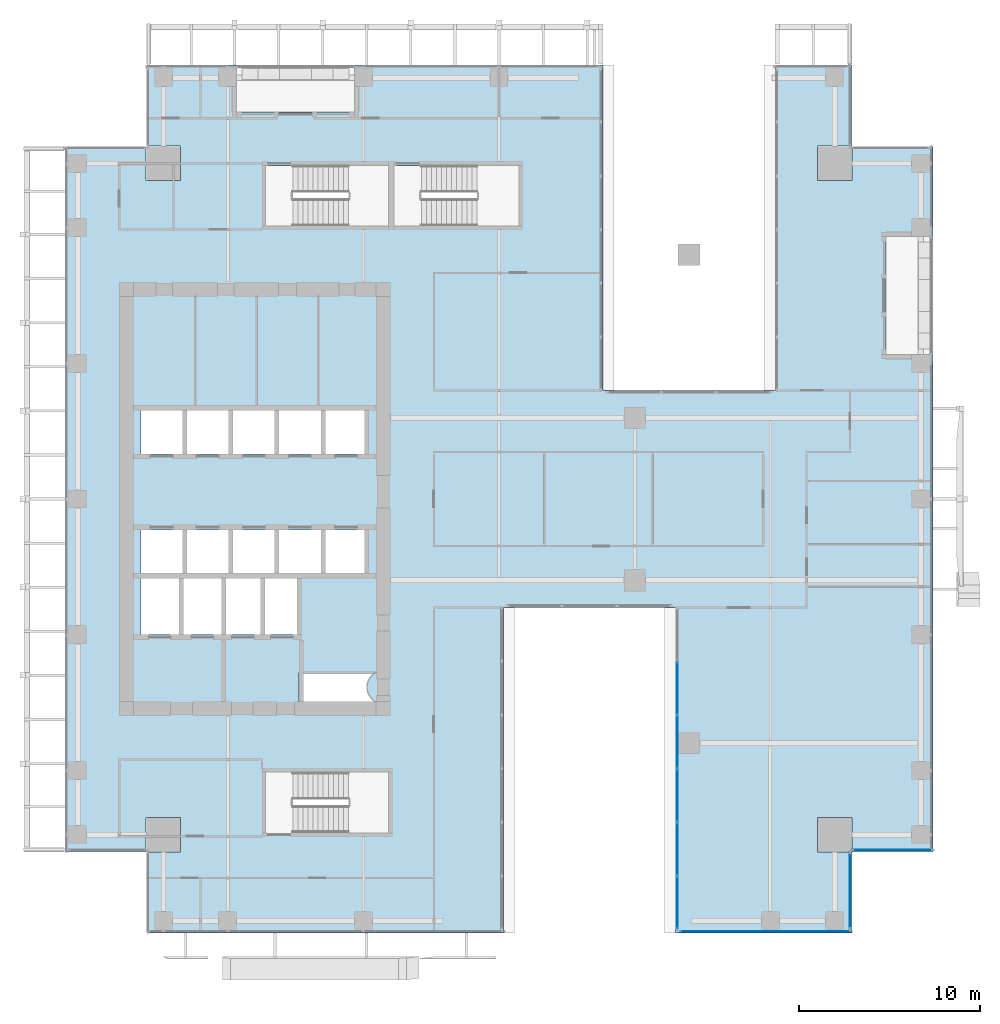
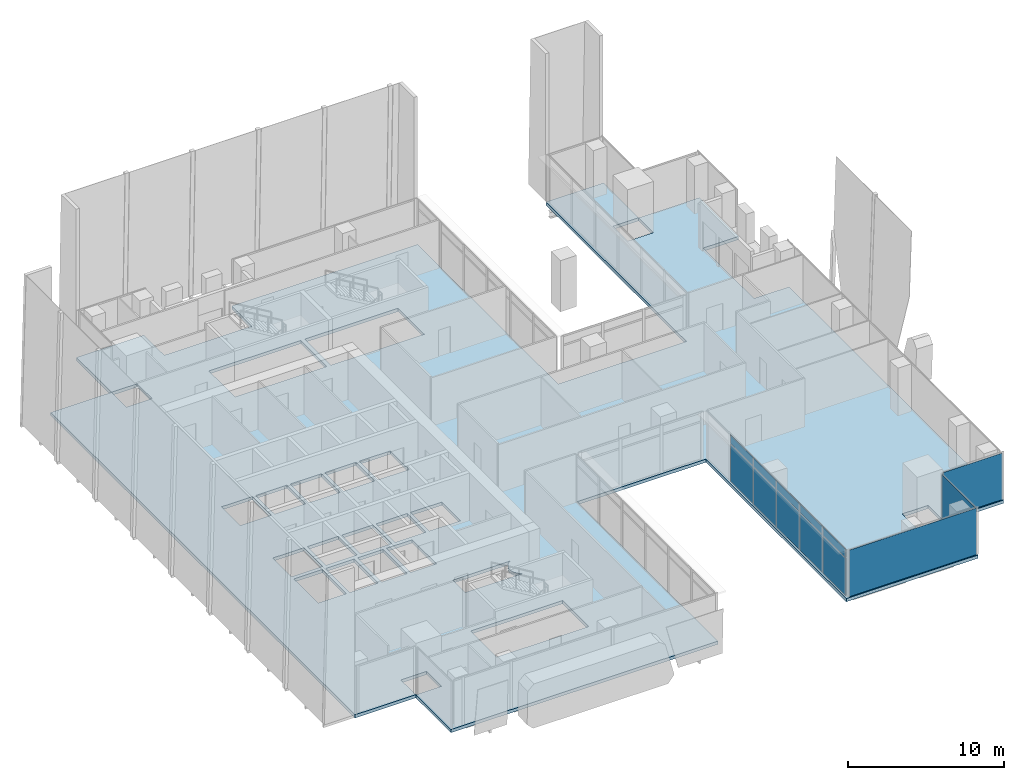
# One storey, part 29 of 40: 13 plates, 1 slab, 4 elements without a shape of their own.
"""IFC4 building model written with IfcOpenShell, lengths in metres."""

import ifcopenshell
import ifcopenshell.guid

model = None  # the IFC model being written
_history = None  # IfcOwnerHistory: only IFC2X3 demands one
_inside = {}  # id of a spatial element -> (the spatial element, [elements in it])
_under = {}  # id of a project, library or spatial element -> (it, [spatial elements below it])
_declared = {}  # id of a project -> (the project, [libraries it declares])
_typed = {}  # id of a type object -> (the type object, [elements of that type])
_made_of = {}  # id of a material, layer set ... -> (it, [elements and type objects made of it])


def new_model(schema):
    """Start an empty IFC model of exactly this schema.

    Asked for "IFC4X3", IfcOpenShell would pick the latest addendum, in which some entities
    have other attributes; the version numbers below select the first issue.
    IFC2X3 requires an IfcOwnerHistory on every rooted entity: one is made here for all.
    """
    global model, _history
    if schema == "IFC4X3":
        model = ifcopenshell.file(schema_version=(4, 3, 0, 0))
    else:
        model = ifcopenshell.file(schema=schema)
    _inside.clear()
    _under.clear()
    _declared.clear()
    _typed.clear()
    _made_of.clear()
    _history = None
    if model.schema == "IFC2X3":
        org = make("IfcOrganization", Name="unknown")
        user = make(
            "IfcPersonAndOrganization",
            ThePerson=make("IfcPerson", FamilyName="unknown"),
            TheOrganization=org,
        )
        app = make(
            "IfcApplication",
            ApplicationDeveloper=org,
            Version="unknown",
            ApplicationFullName="unknown",
            ApplicationIdentifier="unknown",
        )
        _history = make(
            "IfcOwnerHistory",
            OwningUser=user,
            OwningApplication=app,
            ChangeAction="ADDED",
            CreationDate=0,
        )
    return model


def make(cls, **values):
    """One entity of the class cls with the attributes given. An attribute that is None is left unset."""
    return model.create_entity(
        cls, **{name: value for name, value in values.items() if value is not None}
    )


def rooted(cls, **values):
    """An entity with a GlobalId (a new one), such as an element, a storey or a relation."""
    return make(cls, GlobalId=ifcopenshell.guid.new(), OwnerHistory=_history, **values)


def si_unit(unit_type, name, prefix=None):
    """IfcSIUnit, for example si_unit("LENGTHUNIT", "METRE", prefix="MILLI")."""
    return make("IfcSIUnit", UnitType=unit_type, Prefix=prefix, Name=name)


def assignment(units):
    """IfcUnitAssignment: the units of a project."""
    return None if units is None else make("IfcUnitAssignment", Units=units)


def point(xyz):
    """IfcCartesianPoint."""
    return None if xyz is None else make("IfcCartesianPoint", Coordinates=xyz)


def direction(xyz):
    """IfcDirection."""
    return None if xyz is None else make("IfcDirection", DirectionRatios=xyz)


def frame(location, z_axis=None, x_axis=None):
    """IfcAxis2Placement3D, a coordinate frame: its origin and axes. An axis left out is left unset."""
    return make(
        "IfcAxis2Placement3D",
        Location=point(location),
        Axis=direction(z_axis),
        RefDirection=direction(x_axis),
    )


def frame_2d(location, x_axis=None):
    """IfcAxis2Placement2D, a coordinate frame in the plane: its origin and x axis."""
    return make(
        "IfcAxis2Placement2D", Location=point(location), RefDirection=direction(x_axis)
    )


def origin():
    """The frame at (0, 0, 0) with its axes left unset."""
    return frame((0.0, 0.0, 0.0))


def origin_2d():
    """The frame at (0, 0) in the plane with its x axis left unset."""
    return frame_2d((0.0, 0.0))


def place(relative_to, where):
    """IfcLocalPlacement: puts the frame where relative to a parent placement (None: the world)."""
    return make(
        "IfcLocalPlacement", PlacementRelTo=relative_to, RelativePlacement=where
    )


def context(
    kind, dimensions, precision=None, world=None, true_north=None, identifier=None
):
    """IfcGeometricRepresentationContext, for example the 3D "Model" context."""
    return make(
        "IfcGeometricRepresentationContext",
        ContextIdentifier=identifier,
        ContextType=kind,
        CoordinateSpaceDimension=dimensions,
        Precision=precision,
        WorldCoordinateSystem=world,
        TrueNorth=true_north,
    )


def subcontext(parent, identifier, kind, view, scale=None):
    """IfcGeometricRepresentationSubContext, for example "Body" below "Model"."""
    return make(
        "IfcGeometricRepresentationSubContext",
        ContextIdentifier=identifier,
        ContextType=kind,
        ParentContext=parent,
        TargetScale=scale,
        TargetView=view,
    )


def project(units=None, contexts=None):
    """IfcProject with its units and contexts."""
    return rooted(
        "IfcProject",
        Name="project",
        RepresentationContexts=contexts,
        UnitsInContext=assignment(units),
    )


def spatial(cls, under=None, at=None, **own):
    """A site, building, storey or space (cls), placed at a placement, below another one or the project."""
    s = rooted(cls, ObjectPlacement=at, **own)
    if under is not None:
        _under.setdefault(under.id(), (under, []))[1].append(s)
    return s


def polyline(points):
    """IfcPolyline through the points."""
    return make("IfcPolyline", Points=[point(p) for p in points])


def profile(cls, at=None, kind="AREA", **sizes):
    """A parametric profile (cls). Its sizes go by their IFC names, for example OverallWidth=200.0."""
    return make(cls, ProfileType=kind, Position=at, **sizes)


def rectangle(**sizes):
    """IfcRectangleProfileDef."""
    return profile("IfcRectangleProfileDef", **sizes)


def outline(outer, holes=None, kind="AREA"):
    """IfcArbitraryClosedProfileDef: a profile drawn as a closed curve; with holes, ...WithVoids."""
    if holes is None:
        return make("IfcArbitraryClosedProfileDef", ProfileType=kind, OuterCurve=outer)
    return make(
        "IfcArbitraryProfileDefWithVoids",
        ProfileType=kind,
        OuterCurve=outer,
        InnerCurves=holes,
    )


def extrude(swept, where, along, depth):
    """IfcExtrudedAreaSolid: the profile swept, set in the frame where, extruded along a direction by depth."""
    return make(
        "IfcExtrudedAreaSolid",
        SweptArea=swept,
        Position=where,
        ExtrudedDirection=direction(along),
        Depth=depth,
    )


def shape(context_of_items, identifier, shape_type, items):
    """IfcShapeRepresentation: the items that make up one representation, for example the "Body"."""
    return make(
        "IfcShapeRepresentation",
        ContextOfItems=context_of_items,
        RepresentationIdentifier=identifier,
        RepresentationType=shape_type,
        Items=items,
    )


def source(mapping_origin, context_of_items, identifier, shape_type, items):
    """IfcRepresentationMap: a shape defined once, which mapped items show again and again."""
    return make(
        "IfcRepresentationMap",
        MappingOrigin=mapping_origin,
        MappedRepresentation=shape(context_of_items, identifier, shape_type, items),
    )


def transform(
    local_origin,
    x_axis=None,
    y_axis=None,
    z_axis=None,
    scale=None,
    scale2=None,
    scale3=None,
    uniform=True,
):
    """IfcCartesianTransformationOperator3D, or its non-uniform kind. x_axis, y_axis, z_axis: its Axis1, 2, 3."""
    if uniform:
        return make(
            "IfcCartesianTransformationOperator3D",
            Axis1=direction(x_axis),
            Axis2=direction(y_axis),
            LocalOrigin=point(local_origin),
            Scale=scale,
            Axis3=direction(z_axis),
        )
    return make(
        "IfcCartesianTransformationOperator3DnonUniform",
        Axis1=direction(x_axis),
        Axis2=direction(y_axis),
        LocalOrigin=point(local_origin),
        Scale=scale,
        Axis3=direction(z_axis),
        Scale2=scale2,
        Scale3=scale3,
    )


def mapped(mapping_source, mapping_target):
    """IfcMappedItem: shows the shape of a source again, moved by a transform."""
    return make(
        "IfcMappedItem", MappingSource=mapping_source, MappingTarget=mapping_target
    )


def material(Name=None, Category=None):
    """IfcMaterial."""
    return make("IfcMaterial", Name=Name, Category=Category)


def layer(
    of_material, thickness, ventilated=None, Name=None, Category=None, Priority=None
):
    """IfcMaterialLayer: one layer of a wall or slab, of a material (None: an air gap)."""
    return make(
        "IfcMaterialLayer",
        Material=of_material,
        LayerThickness=thickness,
        IsVentilated=ventilated,
        Name=Name,
        Category=Category,
        Priority=Priority,
    )


def layer_set(layers, Name=None):
    """IfcMaterialLayerSet."""
    return make("IfcMaterialLayerSet", MaterialLayers=layers, LayerSetName=Name)


def made_of(thing, what):
    """Note that an element or type object is made of a material, layer set ...; save() writes the relation."""
    if what is not None:
        _made_of.setdefault(what.id(), (what, []))[1].append(thing)
    return thing


def type_object(cls, material=None, **own):
    """A type object (cls), such as IfcWallType, which elements share."""
    return made_of(rooted(cls, **own), material)


def element(
    cls,
    number,
    at=None,
    inside=None,
    cuts=None,
    type_object=None,
    material=None,
    context=None,
    identifier="Body",
    shape_type=None,
    held_by="IfcProductDefinitionShape",
    body=None,
    shapes=None,
    **own,
):
    """One element of the class cls, such as IfcWall. Its Tag is "e" and its number.

    at: its placement. inside: the storey or other place that contains it. cuts: it is an
    opening in that element (IfcRelVoidsElement). A single representation is given by context,
    identifier, shape_type and body (its items); several are given by shapes. held_by: the class
    of the entity that holds the representations. save() writes the other relations.
    """
    e = rooted(cls, Tag="e%d" % number, ObjectPlacement=at, **own)
    if body is not None:
        shapes = [shape(context, identifier, shape_type, body)]
    if shapes is not None:
        e.Representation = make(held_by, Representations=shapes)
    if inside is not None:
        _inside.setdefault(inside.id(), (inside, []))[1].append(e)
    if cuts is not None:
        rooted(
            "IfcRelVoidsElement", RelatingBuildingElement=cuts, RelatedOpeningElement=e
        )
    if type_object is not None:
        _typed.setdefault(type_object.id(), (type_object, []))[1].append(e)
    return made_of(e, material)


def aggregate(whole, parts):
    """IfcRelAggregates: a whole, such as a stair, and the parts it consists of."""
    return rooted("IfcRelAggregates", RelatingObject=whole, RelatedObjects=parts)


def save(model, path):
    """Write the relations noted so far, then the file.

    IfcRelAggregates (storeys below a building ...), IfcRelContainedInSpatialStructure (elements
    in a storey), IfcRelDefinesByType, IfcRelAssociatesMaterial and IfcRelDeclares: one each for
    every whole, place, type object, material and project.
    """
    for whole, parts in _under.values():
        aggregate(whole, parts)
    for where, things in _inside.values():
        rooted(
            "IfcRelContainedInSpatialStructure",
            RelatedElements=things,
            RelatingStructure=where,
        )
    for kind, things in _typed.values():
        rooted("IfcRelDefinesByType", RelatedObjects=things, RelatingType=kind)
    for what, things in _made_of.values():
        rooted("IfcRelAssociatesMaterial", RelatedObjects=things, RelatingMaterial=what)
    for by, libraries in _declared.values():
        rooted("IfcRelDeclares", RelatingContext=by, RelatedDefinitions=libraries)
    model.write(path)


model = new_model("IFC4")

# Units and contexts
model_context = context("Model", 3, precision=1e-05, world=origin(), true_north=direction((0.0, 1.0)))
body_context = subcontext(model_context, "Body", "Model", "MODEL_VIEW")
ifc_project = project(units=[si_unit("LENGTHUNIT", "METRE"), si_unit("AREAUNIT", "SQUARE_METRE"), si_unit("VOLUMEUNIT", "CUBIC_METRE"), si_unit("PLANEANGLEUNIT", "RADIAN"), si_unit("MASSUNIT", "GRAM", prefix="KILO")], contexts=[model_context])

# Site, building, storey
site_placement = place(None, origin())
site = spatial("IfcSite", under=ifc_project, at=site_placement, CompositionType="ELEMENT")
building_placement = place(site_placement, origin())
building = spatial("IfcBuilding", under=site, at=building_placement, Name="Khomas Fold Tower", CompositionType="ELEMENT")
storey_placement = place(building_placement, frame((0.0, 0.0, 176.699951171875)))
storey = spatial("IfcBuildingStorey", under=building, at=storey_placement, Name="L38", CompositionType="ELEMENT", Elevation=176.699951171875)

# Slab
ifc_material_1 = material(Name="Concrete C40/50", Category="concrete")
ifc_layer_1 = layer(ifc_material_1, 0.25)
ifc_layer_set_1 = layer_set([ifc_layer_1], Name="Concrete C40/50")
slab_type = type_object("IfcSlabType", Name="RC floor slab 250", PredefinedType="FLOOR", material=ifc_layer_set_1)
shared_shape_1 = source(origin(), body_context, "Body", "SweptSolid", [
    extrude(outline(polyline([(3.0, 7.5), (7.4951171875, 7.5), (7.4951171875, 9.405029296875), (9.405029296875, 9.405029296875), (9.405029296875, 7.4951171875), (7.5, 7.4951171875), (7.5, 3.0), (27.25, 3.0), (27.25, 21.0), (36.75, 21.0), (36.75, 3.0), (46.5, 3.0), (46.5, 7.4951171875), (44.594970703125, 7.4951171875), (44.594970703125, 9.405029296875), (46.5048828125, 9.405029296875), (46.5048828125, 7.5), (51.0, 7.5), (51.0, 35.0), (48.39990234375, 35.0), (48.39990234375, 41.5), (51.0, 41.5), (51.0, 46.5), (46.5048828125, 46.5), (46.5048828125, 44.594970703125), (44.594970703125, 44.594970703125), (44.594970703125, 46.5048828125), (46.5, 46.5048828125), (46.5, 51.0), (42.25, 51.0), (42.25, 33.0), (32.75, 33.0), (32.75, 51.0), (19.0, 51.0), (19.0, 48.39990234375), (12.5, 48.39990234375), (12.5, 51.0), (7.5, 51.0), (7.5, 46.5048828125), (9.405029296875, 46.5048828125), (9.405029296875, 44.594970703125), (7.4951171875, 44.594970703125), (7.4951171875, 46.5), (3.0, 46.5), (3.0, 7.5)]), holes=[polyline([(7.199951171875, 19.5), (7.199951171875, 22.60009765625), (9.300048828125, 22.60009765625), (9.300048828125, 19.5), (7.199951171875, 19.5)]), polyline([(7.199951171875, 22.89990234375), (7.199951171875, 25.300048828125), (9.5, 25.300048828125), (9.5, 22.89990234375), (7.199951171875, 22.89990234375)]), polyline([(7.199951171875, 29.5), (7.199951171875, 31.89990234375), (9.5, 31.89990234375), (9.5, 29.5), (7.199951171875, 29.5)]), polyline([(9.550048828125, 19.5), (9.550048828125, 22.60009765625), (11.64990234375, 22.60009765625), (11.64990234375, 19.5), (9.550048828125, 19.5)]), polyline([(9.75, 22.89990234375), (9.75, 25.300048828125), (12.050048828125, 25.300048828125), (12.050048828125, 22.89990234375), (9.75, 22.89990234375)]), polyline([(9.75, 29.5), (9.75, 31.89990234375), (12.050048828125, 31.89990234375), (12.050048828125, 29.5), (9.75, 29.5)]), polyline([(11.89990234375, 19.5), (11.89990234375, 22.60009765625), (13.800048828125, 22.60009765625), (13.800048828125, 19.5), (11.89990234375, 19.5)]), polyline([(12.300048828125, 22.89990234375), (12.300048828125, 25.300048828125), (14.60009765625, 25.300048828125), (14.60009765625, 22.89990234375), (12.300048828125, 22.89990234375)]), polyline([(12.300048828125, 29.5), (12.300048828125, 31.89990234375), (14.60009765625, 31.89990234375), (14.60009765625, 29.5), (12.300048828125, 29.5)]), polyline([(14.050048828125, 19.5), (14.050048828125, 22.60009765625), (15.949951171875, 22.60009765625), (15.949951171875, 19.5), (14.050048828125, 19.5)]), polyline([(14.10009765625, 8.550048828125), (14.10009765625, 11.89990234375), (20.89990234375, 11.89990234375), (20.89990234375, 8.550048828125), (14.10009765625, 8.550048828125)]), polyline([(14.10009765625, 42.10009765625), (14.10009765625, 45.449951171875), (20.89990234375, 45.449951171875), (20.89990234375, 42.10009765625), (14.10009765625, 42.10009765625)]), polyline([(14.85009765625, 22.89990234375), (14.85009765625, 25.300048828125), (17.14990234375, 25.300048828125), (17.14990234375, 22.89990234375), (14.85009765625, 22.89990234375)]), polyline([(14.85009765625, 29.5), (14.85009765625, 31.89990234375), (17.14990234375, 31.89990234375), (17.14990234375, 29.5), (14.85009765625, 29.5)]), polyline([(15.949951171875, 15.800048828125), (15.949951171875, 17.39990234375), (20.18896484375, 17.39990234375), (20.17578125, 17.393798828125), (20.10009765625, 17.348388671875), (20.029052734375, 17.295654296875), (19.963623046875, 17.236328125), (19.904296875, 17.1708984375), (19.851806640625, 17.10009765625), (19.806396484375, 17.0244140625), (19.7685546875, 16.9443359375), (19.73876953125, 16.861328125), (19.71728515625, 16.775634765625), (19.704345703125, 16.688232421875), (19.699951171875, 16.60009765625), (19.704345703125, 16.51171875), (19.71728515625, 16.42431640625), (19.73876953125, 16.338623046875), (19.7685546875, 16.255615234375), (19.806396484375, 16.17578125), (19.851806640625, 16.10009765625), (19.904296875, 16.029052734375), (19.963623046875, 15.963623046875), (20.029052734375, 15.904296875), (20.10009765625, 15.851806640625), (20.17578125, 15.806396484375), (20.18896484375, 15.800048828125), (15.949951171875, 15.800048828125)]), polyline([(17.39990234375, 22.89990234375), (17.39990234375, 25.300048828125), (19.699951171875, 25.300048828125), (19.699951171875, 22.89990234375), (17.39990234375, 22.89990234375)]), polyline([(17.39990234375, 29.5), (17.39990234375, 31.89990234375), (19.699951171875, 31.89990234375), (19.699951171875, 29.5), (17.39990234375, 29.5)]), polyline([(21.199951171875, 42.10009765625), (21.199951171875, 45.449951171875), (28.10009765625, 45.449951171875), (28.10009765625, 42.10009765625), (21.199951171875, 42.10009765625)])]), origin(), (0.0, 0.0, 1.0), 0.25),
])
slab_placement = place(storey_placement, frame((0.0, 0.0, -0.25)))
element("IfcSlab", 1, at=slab_placement, inside=storey, type_object=slab_type, Name="S-L38", PredefinedType="FLOOR", context=body_context, shape_type="MappedRepresentation", body=[
    mapped(shared_shape_1, transform((0.0, 0.0, 0.0))),
])

# Curtain wall, plate
ifc_material_2 = material(Name="Aluminium framed double glazing", Category="aluminium")
curtain_wall_type_1 = type_object("IfcCurtainWallType", Name="SK-Unitised clear-glass wall, office floors CW2", PredefinedType="NOTDEFINED", material=ifc_material_2)
curtain_wall_1_placement = place(storey_placement, origin())
curtain_wall_1 = element("IfcCurtainWall", 2, at=curtain_wall_1_placement, inside=storey, type_object=curtain_wall_type_1, Name="CW2 corner return L38 07", PredefinedType="NOTDEFINED")
ifc_material_3 = material(Name="Clear double glazed unit")
ifc_layer_2 = layer(ifc_material_3, 0.030029296875)
ifc_layer_set_2 = layer_set([ifc_layer_2], Name="Clear double glazed unit")
plate_type_1 = type_object("IfcPlateType", Name="SK-Unitised clear-glass wall, office floors glass panel CW2-P", PredefinedType="CURTAIN_PANEL", material=ifc_layer_set_2)
shared_shape_2 = source(origin(), body_context, "Body", "SweptSolid", [
    extrude(rectangle(XDim=4.3798828125, YDim=0.030029296875, at=origin_2d()), origin(), (0.0, 0.0, 1.0), 3.639892578125),
])
plate_1_placement = place(storey_placement, frame((48.75, 7.60009765625, 0.0), z_axis=(0.0, 0.0, 1.0), x_axis=(1.0, 0.0, 0.0)))
plate_1 = element("IfcPlate", 3, at=plate_1_placement, type_object=plate_type_1, Name="CW2 glass panel 1", PredefinedType="CURTAIN_PANEL", context=body_context, shape_type="MappedRepresentation", body=[
    mapped(shared_shape_2, transform((0.0, 0.0, 0.0))),
])
aggregate(curtain_wall_1, [plate_1])

curtain_wall_2_placement = place(storey_placement, origin())
curtain_wall_2 = element("IfcCurtainWall", 4, at=curtain_wall_2_placement, inside=storey, type_object=curtain_wall_type_1, Name="CW2 corner return L38 06", PredefinedType="NOTDEFINED")
shared_shape_3 = source(origin(), body_context, "Body", "SweptSolid", [
    extrude(rectangle(XDim=4.179931640625, YDim=0.030029296875, at=origin_2d()), origin(), (0.0, 0.0, 1.0), 3.639892578125),
])
plate_2_placement = place(storey_placement, frame((46.39990234375, 5.35009765625, 0.0), z_axis=(0.0, 0.0, 1.0), x_axis=(0.0, 1.0, 0.0)))
plate_2 = element("IfcPlate", 5, at=plate_2_placement, type_object=plate_type_1, Name="CW2 glass panel 1", PredefinedType="CURTAIN_PANEL", context=body_context, shape_type="MappedRepresentation", body=[
    mapped(shared_shape_3, transform((0.0, 0.0, 0.0))),
])
aggregate(curtain_wall_2, [plate_2])

curtain_wall_3_placement = place(storey_placement, origin())
curtain_wall_3 = element("IfcCurtainWall", 6, at=curtain_wall_3_placement, inside=storey, type_object=curtain_wall_type_1, Name="CW2 run L38 05-0", PredefinedType="NOTDEFINED")
shared_shape_4 = source(origin(), body_context, "Body", "SweptSolid", [
    extrude(rectangle(XDim=9.429931640625, YDim=0.030029296875, at=origin_2d()), origin(), (0.0, 0.0, 1.0), 3.639892578125),
])
plate_3_placement = place(storey_placement, frame((41.72509765625, 3.10009765625, 0.0), z_axis=(0.0, 0.0, 1.0), x_axis=(1.0, 0.0, 0.0)))
plate_3 = element("IfcPlate", 7, at=plate_3_placement, type_object=plate_type_1, Name="CW2 glass panel 1", PredefinedType="CURTAIN_PANEL", context=body_context, shape_type="MappedRepresentation", body=[
    mapped(shared_shape_4, transform((0.0, 0.0, 0.0))),
])
aggregate(curtain_wall_3, [plate_3])

# Curtain wall, plates
ifc_material_4 = material(Name="Aluminium framed double glazing", Category="aluminium")
curtain_wall_type_2 = type_object("IfcCurtainWallType", Name="Notch glazing GN-CW", PredefinedType="NOTDEFINED", material=ifc_material_4)
curtain_wall_4_placement = place(storey_placement, origin())
curtain_wall_4 = element("IfcCurtainWall", 8, at=curtain_wall_4_placement, inside=storey, type_object=curtain_wall_type_2, Name="Notch glazing run", PredefinedType="NOTDEFINED")
ifc_material_5 = material(Name="Double glazed unit")
ifc_layer_3 = layer(ifc_material_5, 0.031982421875)
ifc_layer_set_3 = layer_set([ifc_layer_3], Name="Double glazed unit")
plate_type_2 = type_object("IfcPlateType", Name="Notch glazing panel GN-CW-P", PredefinedType="CURTAIN_PANEL", material=ifc_layer_set_3)
shared_shape_5 = source(origin(), body_context, "Body", "SweptSolid", [
    extrude(rectangle(XDim=2.876708984375, YDim=0.031982421875, at=origin_2d()), origin(), (0.0, 0.0, 1.0), 2.909912109375),
])
plate_4_placement = place(storey_placement, frame((36.85009765625, 4.6982421875, 0.06005859375), z_axis=(0.0, 0.0, 1.0), x_axis=(0.0, -1.0, 0.0)))
plate_4 = element("IfcPlate", 9, at=plate_4_placement, type_object=plate_type_2, Name="GN-CW panel 6.1", PredefinedType="CURTAIN_PANEL", context=body_context, shape_type="MappedRepresentation", body=[
    mapped(shared_shape_5, transform((0.0, 0.0, 0.0))),
])
shared_shape_6 = source(origin(), body_context, "Body", "SweptSolid", [
    extrude(rectangle(XDim=2.90673828125, YDim=0.031982421875, at=origin_2d()), origin(), (0.0, 0.0, 1.0), 2.909912109375),
])
plate_5_placement = place(storey_placement, frame((36.85009765625, 16.550048828125, 0.06005859375), z_axis=(0.0, 0.0, 1.0), x_axis=(0.0, -1.0, 0.0)))
plate_5 = element("IfcPlate", 10, at=plate_5_placement, type_object=plate_type_2, Name="GN-CW panel 2.1", PredefinedType="CURTAIN_PANEL", context=body_context, shape_type="MappedRepresentation", body=[
    mapped(shared_shape_6, transform((0.0, 0.0, 0.0))),
])
plate_6_placement = place(storey_placement, frame((36.85009765625, 13.583251953125, 0.06005859375), z_axis=(0.0, 0.0, 1.0), x_axis=(0.0, -1.0, 0.0)))
plate_6 = element("IfcPlate", 11, at=plate_6_placement, type_object=plate_type_2, Name="GN-CW panel 3.1", PredefinedType="CURTAIN_PANEL", context=body_context, shape_type="MappedRepresentation", body=[
    mapped(shared_shape_6, transform((0.0, 0.0, 0.0))),
])
plate_7_placement = place(storey_placement, frame((36.85009765625, 10.61669921875, 0.06005859375), z_axis=(0.0, 0.0, 1.0), x_axis=(0.0, -1.0, 0.0)))
plate_7 = element("IfcPlate", 12, at=plate_7_placement, type_object=plate_type_2, Name="GN-CW panel 4.1", PredefinedType="CURTAIN_PANEL", context=body_context, shape_type="MappedRepresentation", body=[
    mapped(shared_shape_6, transform((0.0, 0.0, 0.0))),
])
plate_8_placement = place(storey_placement, frame((36.85009765625, 7.64990234375, 0.06005859375), z_axis=(0.0, 0.0, 1.0), x_axis=(0.0, -1.0, 0.0)))
plate_8 = element("IfcPlate", 13, at=plate_8_placement, type_object=plate_type_2, Name="GN-CW panel 5.1", PredefinedType="CURTAIN_PANEL", context=body_context, shape_type="MappedRepresentation", body=[
    mapped(shared_shape_6, transform((0.0, 0.0, 0.0))),
])
shared_shape_7 = source(origin(), body_context, "Body", "SweptSolid", [
    extrude(rectangle(XDim=2.876708984375, YDim=0.031982421875, at=origin_2d()), origin(), (0.0, 0.0, 1.0), 0.659912109375),
])
plate_9_placement = place(storey_placement, frame((36.85009765625, 4.6982421875, 3.0302734375), z_axis=(0.0, 0.0, 1.0), x_axis=(0.0, -1.0, 0.0)))
plate_9 = element("IfcPlate", 14, at=plate_9_placement, type_object=plate_type_2, Name="GN-CW panel 6.2", PredefinedType="CURTAIN_PANEL", context=body_context, shape_type="MappedRepresentation", body=[
    mapped(shared_shape_7, transform((0.0, 0.0, 0.0))),
])
shared_shape_8 = source(origin(), body_context, "Body", "SweptSolid", [
    extrude(rectangle(XDim=2.90673828125, YDim=0.031982421875, at=origin_2d()), origin(), (0.0, 0.0, 1.0), 0.659912109375),
])
plate_10_placement = place(storey_placement, frame((36.85009765625, 16.550048828125, 3.0302734375), z_axis=(0.0, 0.0, 1.0), x_axis=(0.0, -1.0, 0.0)))
plate_10 = element("IfcPlate", 15, at=plate_10_placement, type_object=plate_type_2, Name="GN-CW panel 2.2", PredefinedType="CURTAIN_PANEL", context=body_context, shape_type="MappedRepresentation", body=[
    mapped(shared_shape_8, transform((0.0, 0.0, 0.0))),
])
plate_11_placement = place(storey_placement, frame((36.85009765625, 13.583251953125, 3.0302734375), z_axis=(0.0, 0.0, 1.0), x_axis=(0.0, -1.0, 0.0)))
plate_11 = element("IfcPlate", 16, at=plate_11_placement, type_object=plate_type_2, Name="GN-CW panel 3.2", PredefinedType="CURTAIN_PANEL", context=body_context, shape_type="MappedRepresentation", body=[
    mapped(shared_shape_8, transform((0.0, 0.0, 0.0))),
])
plate_12_placement = place(storey_placement, frame((36.85009765625, 10.61669921875, 3.0302734375), z_axis=(0.0, 0.0, 1.0), x_axis=(0.0, -1.0, 0.0)))
plate_12 = element("IfcPlate", 17, at=plate_12_placement, type_object=plate_type_2, Name="GN-CW panel 4.2", PredefinedType="CURTAIN_PANEL", context=body_context, shape_type="MappedRepresentation", body=[
    mapped(shared_shape_8, transform((0.0, 0.0, 0.0))),
])
plate_13_placement = place(storey_placement, frame((36.85009765625, 7.64990234375, 3.0302734375), z_axis=(0.0, 0.0, 1.0), x_axis=(0.0, -1.0, 0.0)))
plate_13 = element("IfcPlate", 18, at=plate_13_placement, type_object=plate_type_2, Name="GN-CW panel 5.2", PredefinedType="CURTAIN_PANEL", context=body_context, shape_type="MappedRepresentation", body=[
    mapped(shared_shape_8, transform((0.0, 0.0, 0.0))),
])
aggregate(curtain_wall_4, [plate_5, plate_10, plate_6, plate_11, plate_7, plate_12, plate_8, plate_13, plate_4, plate_9])

save(model, "model.ifc")
